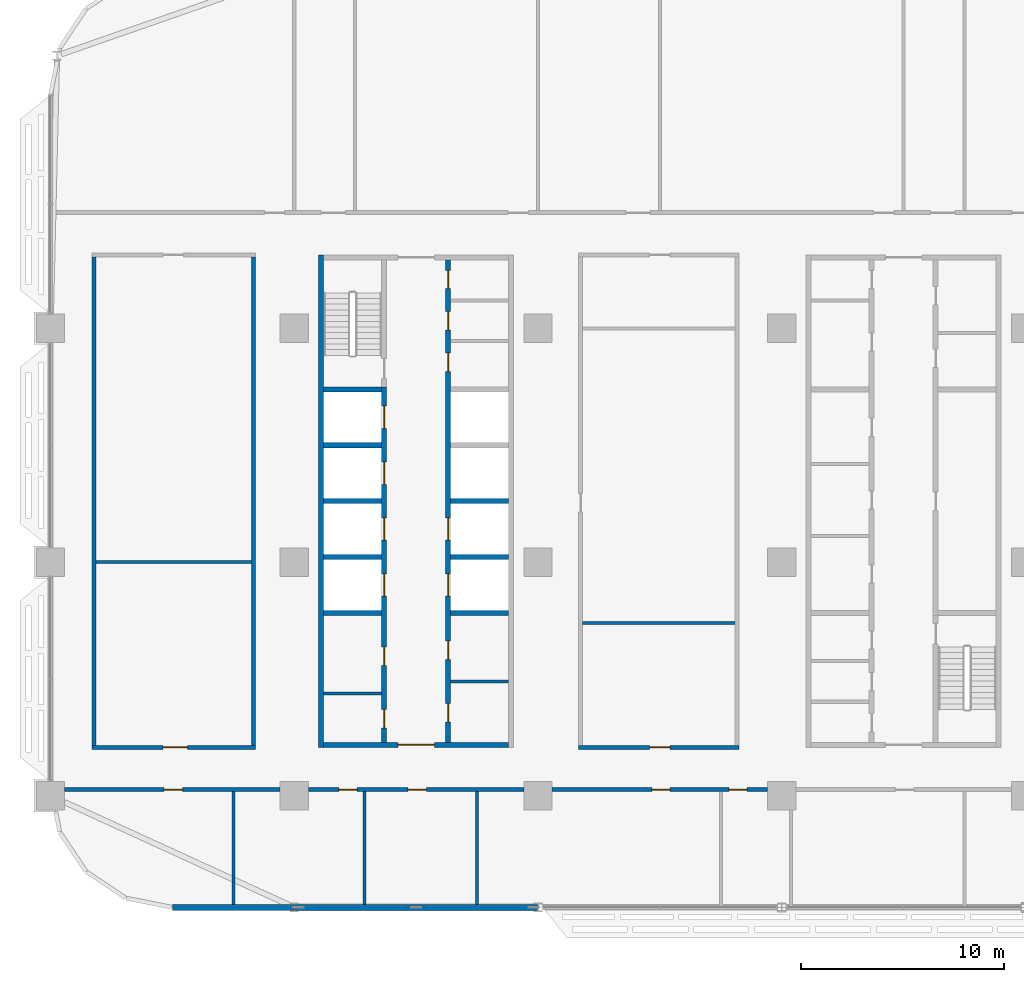
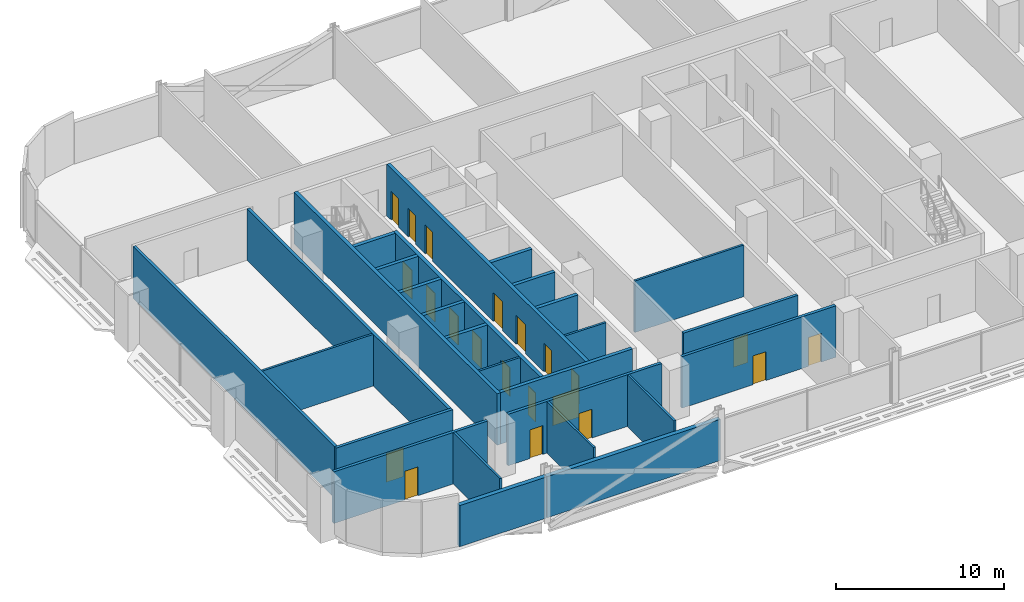
# One storey, part 12 of 29: 28 walls, 21 doors, 21 openings.
"""IFC4 building model written with IfcOpenShell, lengths in metres."""

from ifc_helpers import new_model, si_unit, direction, frame, frame_2d, origin, place, context, subcontext, project, spatial, rectangle, extrude, material, layer, layer_set, type_object, element, fill, save


model = new_model("IFC4")

# Units and contexts
model_context = context("Model", 3, precision=1e-05, world=origin(), true_north=direction((0.0, 1.0)))
body_context = subcontext(model_context, "Body", "Model", "MODEL_VIEW")
ifc_project = project(units=[si_unit("LENGTHUNIT", "METRE"), si_unit("AREAUNIT", "SQUARE_METRE"), si_unit("VOLUMEUNIT", "CUBIC_METRE"), si_unit("PLANEANGLEUNIT", "RADIAN"), si_unit("MASSUNIT", "GRAM", prefix="KILO")], contexts=[model_context])

# Site, building, storey
site_placement = place(None, origin())
site = spatial("IfcSite", under=ifc_project, at=site_placement, CompositionType="ELEMENT")
building_placement = place(site_placement, origin())
building = spatial("IfcBuilding", under=site, at=building_placement, Name="Mahtab Terrace Research Tower", CompositionType="ELEMENT")
storey_placement = place(building_placement, frame((0.0, 0.0, 97.10009765625)))
storey = spatial("IfcBuildingStorey", under=building, at=storey_placement, Name="L22", CompositionType="ELEMENT", Elevation=97.10009765625)

# Walls
ifc_material_1 = material(Name="Gypsum board partition")
ifc_layer_1 = layer(ifc_material_1, 0.14990234375)
ifc_layer_set_1 = layer_set([ifc_layer_1], Name="Core partition 150")
wall_type_1 = type_object("IfcWallType", Name="Core partition 150", PredefinedType="PARTITIONING", material=ifc_layer_set_1)
for number, where, z_axis, x_axis, name in (
    (1, (-28.550048828125, -6.47509765625, 0.0), (0.0, 0.0, 1.0), (1.0, 0.0, 0.0), "Core wall A pWS-948"),
    (2, (-22.300048828125, -5.875, 0.0), (0.0, 0.0, 1.0), (1.0, 0.0, 0.0), "Core wall A pES-888"),
):
    element("IfcWall", number, at=place(storey_placement, frame(where, z_axis=z_axis, x_axis=x_axis)), inside=storey, type_object=wall_type_1, Name=name, PredefinedType="PARTITIONING", context=body_context, shape_type="SweptSolid", body=[
        extrude(rectangle(XDim=2.85009765625, YDim=0.14990234375, at=frame_2d((1.425048828125, 0.0))), origin(), (0.0, 0.0, 1.0), 3.760009765625),
    ])
ifc_material_2 = material(Name="Concrete C70/85", Category="concrete")
ifc_layer_2 = layer(ifc_material_2, 0.25)
ifc_layer_set_2 = layer_set([ifc_layer_2], Name="Core wall 250")
wall_type_2 = type_object("IfcWallType", Name="Core wall 250", PredefinedType="SOLIDWALL", material=ifc_layer_set_2)
wall_1_placement = place(storey_placement, frame((-28.675048828125, 15.125, 0.0), z_axis=(0.0, 0.0, 1.0), x_axis=(0.0, -1.0, 0.0)))
element("IfcWall", 3, at=wall_1_placement, inside=storey, type_object=wall_type_2, Name="Core wall A outerW", PredefinedType="SOLIDWALL", context=body_context, shape_type="SweptSolid", body=[
    extrude(rectangle(XDim=24.25, YDim=0.25, at=frame_2d((12.125, 0.0))), origin(), (0.0, 0.0, 1.0), 3.760009765625),
])

# Wall, opening, door
wall_2_placement = place(storey_placement, frame((-19.449951171875, -9.0, 0.0), z_axis=(0.0, 0.0, 1.0), x_axis=(-1.0, 0.0, 0.0)))
wall_2 = element("IfcWall", 4, at=wall_2_placement, inside=storey, type_object=wall_type_2, Name="Core wall A endS", PredefinedType="SOLIDWALL", context=body_context, shape_type="SweptSolid", body=[
    extrude(rectangle(XDim=9.10009765625, YDim=0.25, at=frame_2d((4.550048828125, 0.0))), origin(), (0.0, 0.0, 1.0), 3.760009765625),
])
opening_1_placement = place(wall_2_placement, frame((3.64990234375, 0.0, 0.0)))
opening_1 = element("IfcOpeningElement", 5, at=opening_1_placement, cuts=wall_2, Name="Opening A-S1", PredefinedType="OPENING", context=body_context, shape_type="SweptSolid", body=[
    extrude(rectangle(XDim=1.800048828125, YDim=2.10009765625, at=frame_2d((0.89990234375, 1.050048828125))), frame((0.0, 0.135009765625, 0.0), z_axis=(0.0, -1.0, 0.0), x_axis=(1.0, 0.0, 0.0)), (0.0, 0.0, 1.0), 0.27001953125),
])
ifc_material_3 = material(Name="Steel fire door", Category="steel")
door_type_1 = type_object("IfcDoorType", Name="Lobby double door 1800x2100 1 HR", OperationType="DOUBLE_DOOR_SINGLE_SWING", PredefinedType="DOOR", material=ifc_material_3)
door_1_placement = place(opening_1_placement, origin())
door_1 = element("IfcDoor", 6, at=door_1_placement, inside=storey, type_object=door_type_1, Name="Core entrance door A S", OperationType="DOUBLE_DOOR_SINGLE_SWING", OverallHeight=2.10009765625, OverallWidth=1.800048828125, PredefinedType="DOOR", context=body_context, shape_type="SweptSolid", body=[
    extrude(rectangle(XDim=1.800048828125, YDim=2.10009765625, at=frame_2d((0.89990234375, 1.050048828125))), frame((0.0, 0.02490234375, 0.0), z_axis=(0.0, -1.0, 0.0), x_axis=(1.0, 0.0, 0.0)), (0.0, 0.0, 1.0), 0.050048828125),
])
fill(opening_1, door_1)

# Wall, openings, doors
wall_3_placement = place(storey_placement, frame((-25.574951171875, -8.875, 0.0), z_axis=(0.0, 0.0, 1.0), x_axis=(0.0, 1.0, 0.0)))
wall_3 = element("IfcWall", 7, at=wall_3_placement, inside=storey, type_object=wall_type_2, Name="Core wall A innerWSL", PredefinedType="SOLIDWALL", context=body_context, shape_type="SweptSolid", body=[
    extrude(rectangle(XDim=17.5, YDim=0.25, at=frame_2d((8.75, 0.0))), origin(), (0.0, 0.0, 1.0), 3.760009765625),
])
opening_2_placement = place(wall_3_placement, frame((7.199951171875, 0.0, 0.0)))
opening_2 = element("IfcOpeningElement", 8, at=opening_2_placement, cuts=wall_3, Name="Opening LD01-L22", PredefinedType="OPENING", context=body_context, shape_type="SweptSolid", body=[
    extrude(rectangle(XDim=1.10009765625, YDim=2.10009765625, at=frame_2d((0.550048828125, 1.050048828125))), frame((0.0, 0.135009765625, 0.0), z_axis=(0.0, -1.0, 0.0), x_axis=(1.0, 0.0, 0.0)), (0.0, 0.0, 1.0), 0.27001953125),
])
opening_3_placement = place(wall_3_placement, frame((9.949951171875, 0.0, 0.0)))
opening_3 = element("IfcOpeningElement", 9, at=opening_3_placement, cuts=wall_3, Name="Opening LD02-L22", PredefinedType="OPENING", context=body_context, shape_type="SweptSolid", body=[
    extrude(rectangle(XDim=1.10009765625, YDim=2.10009765625, at=frame_2d((0.550048828125, 1.050048828125))), frame((0.0, 0.135009765625, 0.0), z_axis=(0.0, -1.0, 0.0), x_axis=(1.0, 0.0, 0.0)), (0.0, 0.0, 1.0), 0.27001953125),
])
opening_4_placement = place(wall_3_placement, frame((12.699951171875, 0.0, 0.0)))
opening_4 = element("IfcOpeningElement", 10, at=opening_4_placement, cuts=wall_3, Name="Opening LD03-L22", PredefinedType="OPENING", context=body_context, shape_type="SweptSolid", body=[
    extrude(rectangle(XDim=1.10009765625, YDim=2.10009765625, at=frame_2d((0.550048828125, 1.050048828125))), frame((0.0, 0.135009765625, 0.0), z_axis=(0.0, -1.0, 0.0), x_axis=(1.0, 0.0, 0.0)), (0.0, 0.0, 1.0), 0.27001953125),
])
opening_5_placement = place(wall_3_placement, frame((15.449951171875, 0.0, 0.0)))
opening_5 = element("IfcOpeningElement", 11, at=opening_5_placement, cuts=wall_3, Name="Opening LD04-L22", PredefinedType="OPENING", context=body_context, shape_type="SweptSolid", body=[
    extrude(rectangle(XDim=1.10009765625, YDim=2.10009765625, at=frame_2d((0.550048828125, 1.050048828125))), frame((0.0, 0.135009765625, 0.0), z_axis=(0.0, -1.0, 0.0), x_axis=(1.0, 0.0, 0.0)), (0.0, 0.0, 1.0), 0.27001953125),
])
opening_6_placement = place(wall_3_placement, frame((0.71240234375, 0.0, 0.0)))
opening_6 = element("IfcOpeningElement", 12, at=opening_6_placement, cuts=wall_3, Name="Opening A-R1", PredefinedType="OPENING", context=body_context, shape_type="SweptSolid", body=[
    extrude(rectangle(XDim=0.89990234375, YDim=2.10009765625, at=frame_2d((0.449951171875, 1.050048828125))), frame((0.0, 0.135009765625, 0.0), z_axis=(0.0, -1.0, 0.0), x_axis=(1.0, 0.0, 0.0)), (0.0, 0.0, 1.0), 0.27001953125),
])
opening_7_placement = place(wall_3_placement, frame((3.78759765625, 0.0, 0.0)))
opening_7 = element("IfcOpeningElement", 13, at=opening_7_placement, cuts=wall_3, Name="Opening A-R2", PredefinedType="OPENING", context=body_context, shape_type="SweptSolid", body=[
    extrude(rectangle(XDim=0.89990234375, YDim=2.10009765625, at=frame_2d((0.449951171875, 1.050048828125))), frame((0.0, 0.135009765625, 0.0), z_axis=(0.0, -1.0, 0.0), x_axis=(1.0, 0.0, 0.0)), (0.0, 0.0, 1.0), 0.27001953125),
])
ifc_material_4 = material(Name="Stainless steel AISI 304", Category="steel")
door_type_2 = type_object("IfcDoorType", Name="Landing door 1100x2100", OperationType="DOUBLE_DOOR_SLIDING", PredefinedType="DOOR", material=ifc_material_4)
door_2_placement = place(opening_2_placement, origin())
door_2 = element("IfcDoor", 14, at=door_2_placement, inside=storey, type_object=door_type_2, Name="Landing door LR1 L22", OperationType="DOUBLE_DOOR_SLIDING", OverallHeight=2.10009765625, OverallWidth=1.10009765625, PredefinedType="DOOR", context=body_context, shape_type="SweptSolid", body=[
    extrude(rectangle(XDim=1.10009765625, YDim=2.10009765625, at=frame_2d((0.550048828125, 1.050048828125))), frame((0.0, 0.02490234375, 0.0), z_axis=(0.0, -1.0, 0.0), x_axis=(1.0, 0.0, 0.0)), (0.0, 0.0, 1.0), 0.050048828125),
])
fill(opening_2, door_2)
door_3_placement = place(opening_3_placement, origin())
door_3 = element("IfcDoor", 15, at=door_3_placement, inside=storey, type_object=door_type_2, Name="Landing door LR2 L22", OperationType="DOUBLE_DOOR_SLIDING", OverallHeight=2.10009765625, OverallWidth=1.10009765625, PredefinedType="DOOR", context=body_context, shape_type="SweptSolid", body=[
    extrude(rectangle(XDim=1.10009765625, YDim=2.10009765625, at=frame_2d((0.550048828125, 1.050048828125))), frame((0.0, 0.02490234375, 0.0), z_axis=(0.0, -1.0, 0.0), x_axis=(1.0, 0.0, 0.0)), (0.0, 0.0, 1.0), 0.050048828125),
])
fill(opening_3, door_3)
door_4_placement = place(opening_4_placement, origin())
door_4 = element("IfcDoor", 16, at=door_4_placement, inside=storey, type_object=door_type_2, Name="Landing door LR3 L22", OperationType="DOUBLE_DOOR_SLIDING", OverallHeight=2.10009765625, OverallWidth=1.10009765625, PredefinedType="DOOR", context=body_context, shape_type="SweptSolid", body=[
    extrude(rectangle(XDim=1.10009765625, YDim=2.10009765625, at=frame_2d((0.550048828125, 1.050048828125))), frame((0.0, 0.02490234375, 0.0), z_axis=(0.0, -1.0, 0.0), x_axis=(1.0, 0.0, 0.0)), (0.0, 0.0, 1.0), 0.050048828125),
])
fill(opening_4, door_4)
door_5_placement = place(opening_5_placement, origin())
door_5 = element("IfcDoor", 17, at=door_5_placement, inside=storey, type_object=door_type_2, Name="Landing door LR4 L22", OperationType="DOUBLE_DOOR_SLIDING", OverallHeight=2.10009765625, OverallWidth=1.10009765625, PredefinedType="DOOR", context=body_context, shape_type="SweptSolid", body=[
    extrude(rectangle(XDim=1.10009765625, YDim=2.10009765625, at=frame_2d((0.550048828125, 1.050048828125))), frame((0.0, 0.02490234375, 0.0), z_axis=(0.0, -1.0, 0.0), x_axis=(1.0, 0.0, 0.0)), (0.0, 0.0, 1.0), 0.050048828125),
])
fill(opening_5, door_5)
door_type_3 = type_object("IfcDoorType", Name="Room door 900x2100 1 HR", OperationType="NOTDEFINED", PredefinedType="DOOR", material=ifc_material_3)
door_6_placement = place(opening_6_placement, origin())
door_6 = element("IfcDoor", 18, at=door_6_placement, inside=storey, type_object=door_type_3, Name="Accessible WC door", OperationType="SINGLE_SWING_LEFT", OverallHeight=2.10009765625, OverallWidth=0.89990234375, PredefinedType="DOOR", context=body_context, shape_type="SweptSolid", body=[
    extrude(rectangle(XDim=0.89990234375, YDim=2.10009765625, at=frame_2d((0.449951171875, 1.050048828125))), frame((0.0, 0.02490234375, 0.0), z_axis=(0.0, -1.0, 0.0), x_axis=(1.0, 0.0, 0.0)), (0.0, 0.0, 1.0), 0.050048828125),
])
fill(opening_6, door_6)
door_7_placement = place(opening_7_placement, origin())
door_7 = element("IfcDoor", 19, at=door_7_placement, inside=storey, type_object=door_type_3, Name="WC block door", OperationType="SINGLE_SWING_RIGHT", OverallHeight=2.10009765625, OverallWidth=0.89990234375, PredefinedType="DOOR", context=body_context, shape_type="SweptSolid", body=[
    extrude(rectangle(XDim=0.89990234375, YDim=2.10009765625, at=frame_2d((0.449951171875, 1.050048828125))), frame((0.0, 0.02490234375, 0.0), z_axis=(0.0, -1.0, 0.0), x_axis=(1.0, 0.0, 0.0)), (0.0, 0.0, 1.0), 0.050048828125),
])
fill(opening_7, door_7)

wall_4_placement = place(storey_placement, frame((-22.425048828125, 14.875, 0.0), z_axis=(0.0, 0.0, 1.0), x_axis=(0.0, -1.0, 0.0)))
wall_4 = element("IfcWall", 20, at=wall_4_placement, inside=storey, type_object=wall_type_2, Name="Core wall A innerESLN", PredefinedType="SOLIDWALL", context=body_context, shape_type="SweptSolid", body=[
    extrude(rectangle(XDim=23.75, YDim=0.25, at=frame_2d((11.875, 0.0))), origin(), (0.0, 0.0, 1.0), 3.760009765625),
])
opening_8_placement = place(wall_4_placement, frame((15.449951171875, 0.0, 0.0)))
opening_8 = element("IfcOpeningElement", 21, at=opening_8_placement, cuts=wall_4, Name="Opening LD05-L22", PredefinedType="OPENING", context=body_context, shape_type="SweptSolid", body=[
    extrude(rectangle(XDim=1.10009765625, YDim=2.10009765625, at=frame_2d((0.550048828125, 1.050048828125))), frame((0.0, 0.135009765625, 0.0), z_axis=(0.0, -1.0, 0.0), x_axis=(1.0, 0.0, 0.0)), (0.0, 0.0, 1.0), 0.27001953125),
])
opening_9_placement = place(wall_4_placement, frame((12.699951171875, 0.0, 0.0)))
opening_9 = element("IfcOpeningElement", 22, at=opening_9_placement, cuts=wall_4, Name="Opening LD06-L22", PredefinedType="OPENING", context=body_context, shape_type="SweptSolid", body=[
    extrude(rectangle(XDim=1.10009765625, YDim=2.10009765625, at=frame_2d((0.550048828125, 1.050048828125))), frame((0.0, 0.135009765625, 0.0), z_axis=(0.0, -1.0, 0.0), x_axis=(1.0, 0.0, 0.0)), (0.0, 0.0, 1.0), 0.27001953125),
])
opening_10_placement = place(wall_4_placement, frame((21.83740234375, 0.0, 0.0)))
opening_10 = element("IfcOpeningElement", 23, at=opening_10_placement, cuts=wall_4, Name="Opening A-R3", PredefinedType="OPENING", context=body_context, shape_type="SweptSolid", body=[
    extrude(rectangle(XDim=0.89990234375, YDim=2.10009765625, at=frame_2d((0.449951171875, 1.050048828125))), frame((0.0, 0.135009765625, 0.0), z_axis=(0.0, -1.0, 0.0), x_axis=(1.0, 0.0, 0.0)), (0.0, 0.0, 1.0), 0.27001953125),
])
opening_11_placement = place(wall_4_placement, frame((18.762451171875, 0.0, 0.0)))
opening_11 = element("IfcOpeningElement", 24, at=opening_11_placement, cuts=wall_4, Name="Opening A-R4", PredefinedType="OPENING", context=body_context, shape_type="SweptSolid", body=[
    extrude(rectangle(XDim=0.89990234375, YDim=2.10009765625, at=frame_2d((0.449951171875, 1.050048828125))), frame((0.0, 0.135009765625, 0.0), z_axis=(0.0, -1.0, 0.0), x_axis=(1.0, 0.0, 0.0)), (0.0, 0.0, 1.0), 0.27001953125),
])
opening_12_placement = place(wall_4_placement, frame((4.58740234375, 0.0, 0.0)))
opening_12 = element("IfcOpeningElement", 25, at=opening_12_placement, cuts=wall_4, Name="Opening A-R5", PredefinedType="OPENING", context=body_context, shape_type="SweptSolid", body=[
    extrude(rectangle(XDim=0.89990234375, YDim=2.10009765625, at=frame_2d((0.449951171875, 1.050048828125))), frame((0.0, 0.135009765625, 0.0), z_axis=(0.0, -1.0, 0.0), x_axis=(1.0, 0.0, 0.0)), (0.0, 0.0, 1.0), 0.27001953125),
])
opening_13_placement = place(wall_4_placement, frame((2.550048828125, 0.0, 0.0)))
opening_13 = element("IfcOpeningElement", 26, at=opening_13_placement, cuts=wall_4, Name="Opening A-R6", PredefinedType="OPENING", context=body_context, shape_type="SweptSolid", body=[
    extrude(rectangle(XDim=0.89990234375, YDim=2.10009765625, at=frame_2d((0.449951171875, 1.050048828125))), frame((0.0, 0.135009765625, 0.0), z_axis=(0.0, -1.0, 0.0), x_axis=(1.0, 0.0, 0.0)), (0.0, 0.0, 1.0), 0.27001953125),
])
opening_14_placement = place(wall_4_placement, frame((0.512451171875, 0.0, 0.0)))
opening_14 = element("IfcOpeningElement", 27, at=opening_14_placement, cuts=wall_4, Name="Opening A-R7", PredefinedType="OPENING", context=body_context, shape_type="SweptSolid", body=[
    extrude(rectangle(XDim=0.89990234375, YDim=2.10009765625, at=frame_2d((0.449951171875, 1.050048828125))), frame((0.0, 0.135009765625, 0.0), z_axis=(0.0, -1.0, 0.0), x_axis=(1.0, 0.0, 0.0)), (0.0, 0.0, 1.0), 0.27001953125),
])
door_8_placement = place(opening_8_placement, origin())
door_8 = element("IfcDoor", 28, at=door_8_placement, inside=storey, type_object=door_type_2, Name="Landing door LR5 L22", OperationType="DOUBLE_DOOR_SLIDING", OverallHeight=2.10009765625, OverallWidth=1.10009765625, PredefinedType="DOOR", context=body_context, shape_type="SweptSolid", body=[
    extrude(rectangle(XDim=1.10009765625, YDim=2.10009765625, at=frame_2d((0.550048828125, 1.050048828125))), frame((0.0, 0.02490234375, 0.0), z_axis=(0.0, -1.0, 0.0), x_axis=(1.0, 0.0, 0.0)), (0.0, 0.0, 1.0), 0.050048828125),
])
fill(opening_8, door_8)
door_9_placement = place(opening_9_placement, origin())
door_9 = element("IfcDoor", 29, at=door_9_placement, inside=storey, type_object=door_type_2, Name="Landing door LR6 L22", OperationType="DOUBLE_DOOR_SLIDING", OverallHeight=2.10009765625, OverallWidth=1.10009765625, PredefinedType="DOOR", context=body_context, shape_type="SweptSolid", body=[
    extrude(rectangle(XDim=1.10009765625, YDim=2.10009765625, at=frame_2d((0.550048828125, 1.050048828125))), frame((0.0, 0.02490234375, 0.0), z_axis=(0.0, -1.0, 0.0), x_axis=(1.0, 0.0, 0.0)), (0.0, 0.0, 1.0), 0.050048828125),
])
fill(opening_9, door_9)
door_10_placement = place(opening_10_placement, origin())
door_10 = element("IfcDoor", 30, at=door_10_placement, inside=storey, type_object=door_type_3, Name="Housekeeping store door", OperationType="SINGLE_SWING_LEFT", OverallHeight=2.10009765625, OverallWidth=0.89990234375, PredefinedType="DOOR", context=body_context, shape_type="SweptSolid", body=[
    extrude(rectangle(XDim=0.89990234375, YDim=2.10009765625, at=frame_2d((0.449951171875, 1.050048828125))), frame((0.0, 0.02490234375, 0.0), z_axis=(0.0, -1.0, 0.0), x_axis=(1.0, 0.0, 0.0)), (0.0, 0.0, 1.0), 0.050048828125),
])
fill(opening_10, door_10)
door_11_placement = place(opening_11_placement, origin())
door_11 = element("IfcDoor", 31, at=door_11_placement, inside=storey, type_object=door_type_3, Name="Electrical riser room door", OperationType="SINGLE_SWING_RIGHT", OverallHeight=2.10009765625, OverallWidth=0.89990234375, PredefinedType="DOOR", context=body_context, shape_type="SweptSolid", body=[
    extrude(rectangle(XDim=0.89990234375, YDim=2.10009765625, at=frame_2d((0.449951171875, 1.050048828125))), frame((0.0, 0.02490234375, 0.0), z_axis=(0.0, -1.0, 0.0), x_axis=(1.0, 0.0, 0.0)), (0.0, 0.0, 1.0), 0.050048828125),
])
fill(opening_11, door_11)
door_12_placement = place(opening_12_placement, origin())
door_12 = element("IfcDoor", 32, at=door_12_placement, inside=storey, type_object=door_type_3, Name="Comms riser room door", OperationType="SINGLE_SWING_LEFT", OverallHeight=2.10009765625, OverallWidth=0.89990234375, PredefinedType="DOOR", context=body_context, shape_type="SweptSolid", body=[
    extrude(rectangle(XDim=0.89990234375, YDim=2.10009765625, at=frame_2d((0.449951171875, 1.050048828125))), frame((0.0, 0.02490234375, 0.0), z_axis=(0.0, -1.0, 0.0), x_axis=(1.0, 0.0, 0.0)), (0.0, 0.0, 1.0), 0.050048828125),
])
fill(opening_12, door_12)
door_13_placement = place(opening_13_placement, origin())
door_13 = element("IfcDoor", 33, at=door_13_placement, inside=storey, type_object=door_type_3, Name="Pantry door", OperationType="SINGLE_SWING_RIGHT", OverallHeight=2.10009765625, OverallWidth=0.89990234375, PredefinedType="DOOR", context=body_context, shape_type="SweptSolid", body=[
    extrude(rectangle(XDim=0.89990234375, YDim=2.10009765625, at=frame_2d((0.449951171875, 1.050048828125))), frame((0.0, 0.02490234375, 0.0), z_axis=(0.0, -1.0, 0.0), x_axis=(1.0, 0.0, 0.0)), (0.0, 0.0, 1.0), 0.050048828125),
])
fill(opening_13, door_13)
door_14_placement = place(opening_14_placement, origin())
door_14 = element("IfcDoor", 34, at=door_14_placement, inside=storey, type_object=door_type_3, Name="Cleaners store door", OperationType="SINGLE_SWING_LEFT", OverallHeight=2.10009765625, OverallWidth=0.89990234375, PredefinedType="DOOR", context=body_context, shape_type="SweptSolid", body=[
    extrude(rectangle(XDim=0.89990234375, YDim=2.10009765625, at=frame_2d((0.449951171875, 1.050048828125))), frame((0.0, 0.02490234375, 0.0), z_axis=(0.0, -1.0, 0.0), x_axis=(1.0, 0.0, 0.0)), (0.0, 0.0, 1.0), 0.050048828125),
])
fill(opening_14, door_14)

# Walls
for number, where, z_axis, x_axis, name in (
    (35, (-28.550048828125, -2.5, 0.0), (0.0, 0.0, 1.0), (1.0, 0.0, 0.0), "Core wall A divW0"),
    (36, (-28.550048828125, 0.25, 0.0), (0.0, 0.0, 1.0), (1.0, 0.0, 0.0), "Core wall A divW1"),
    (37, (-28.550048828125, 3.0, 0.0), (0.0, 0.0, 1.0), (1.0, 0.0, 0.0), "Core wall A divW2"),
    (38, (-28.550048828125, 5.75, 0.0), (0.0, 0.0, 1.0), (1.0, 0.0, 0.0), "Core wall A divW3"),
    (39, (-28.550048828125, 8.5, 0.0), (0.0, 0.0, 1.0), (1.0, 0.0, 0.0), "Core wall A divW4"),
    (40, (-22.300048828125, -2.5, 0.0), (0.0, 0.0, 1.0), (1.0, 0.0, 0.0), "Core wall A divE0"),
    (41, (-22.300048828125, 0.25, 0.0), (0.0, 0.0, 1.0), (1.0, 0.0, 0.0), "Core wall A divE1"),
    (42, (-22.300048828125, 3.0, 0.0), (0.0, 0.0, 1.0), (1.0, 0.0, 0.0), "Core wall A divE2"),
):
    element("IfcWall", number, at=place(storey_placement, frame(where, z_axis=z_axis, x_axis=x_axis)), inside=storey, type_object=wall_type_2, Name=name, PredefinedType="SOLIDWALL", context=body_context, shape_type="SweptSolid", body=[
        extrude(rectangle(XDim=2.85009765625, YDim=0.25, at=frame_2d((1.425048828125, 0.0))), origin(), (0.0, 0.0, 1.0), 3.760009765625),
    ])
ifc_material_5 = material(Name="Black aluminium cladding panel", Category="aluminium")
ifc_layer_3 = layer(ifc_material_5, 0.300048828125)
ifc_layer_set_3 = layer_set([ifc_layer_3], Name="Opaque facade wall 300")
wall_type_3 = type_object("IfcWallType", Name="Opaque facade wall 300", PredefinedType="NOTDEFINED", material=ifc_layer_set_3)
wall_5_placement = place(storey_placement, frame((-36.0, -17.0, 0.0), z_axis=(0.0, 0.0, 1.0), x_axis=(1.0, 0.0, 0.0)))
element("IfcWall", 43, at=wall_5_placement, inside=storey, type_object=wall_type_3, Name="Opaque facade wall L22 S23", PredefinedType="NOTDEFINED", context=body_context, shape_type="SweptSolid", body=[
    extrude(rectangle(XDim=5.97900390625, YDim=0.300048828125, at=frame_2d((2.989501953125, 0.0))), origin(), (0.0, 0.0, 1.0), 3.0029296875),
])
wall_6_placement = place(storey_placement, frame((-29.97900390625, -17.0, 0.0), z_axis=(0.0, 0.0, 1.0), x_axis=(1.0, 0.0, 0.0)))
element("IfcWall", 44, at=wall_6_placement, inside=storey, type_object=wall_type_3, Name="Opaque facade wall L22 S24", PredefinedType="NOTDEFINED", context=body_context, shape_type="SweptSolid", body=[
    extrude(rectangle(XDim=11.9580078125, YDim=0.300048828125, at=frame_2d((5.97900390625, 0.0))), origin(), (0.0, 0.0, 1.0), 3.0029296875),
])

# Wall, opening, door
ifc_material_6 = material(Name="Gypsum board corridor wall on steel studs", Category="steel")
ifc_layer_4 = layer(ifc_material_6, 0.199951171875)
ifc_layer_set_4 = layer_set([ifc_layer_4], Name="WALL CORRIDOR 200")
wall_type_4 = type_object("IfcWallType", Name="WALL CORRIDOR 200", PredefinedType="PARTITIONING", material=ifc_layer_set_4)
wall_7_placement = place(storey_placement, frame((-41.300048828125, -11.199951171875, 0.0), z_axis=(0.0, 0.0, 1.0), x_axis=(1.0, 0.0, 0.0)))
wall_7 = element("IfcWall", 45, at=wall_7_placement, inside=storey, type_object=wall_type_4, Name="L22-W001", PredefinedType="PARTITIONING", context=body_context, shape_type="SweptSolid", body=[
    extrude(rectangle(XDim=10.60009765625, YDim=0.199951171875, at=frame_2d((5.300048828125, 0.0))), origin(), (0.0, 0.0, 1.0), 3.760009765625),
])
opening_15_placement = place(wall_7_placement, frame((4.89990234375, 0.0, 0.0)))
opening_15 = element("IfcOpeningElement", 46, at=opening_15_placement, cuts=wall_7, Name="Opening L22-101", PredefinedType="OPENING", context=body_context, shape_type="SweptSolid", body=[
    extrude(rectangle(XDim=0.89990234375, YDim=2.10009765625, at=frame_2d((0.449951171875, 1.050048828125))), frame((0.0, 0.10986328125, 0.0), z_axis=(0.0, -1.0, 0.0), x_axis=(1.0, 0.0, 0.0)), (0.0, 0.0, 1.0), 0.219970703125),
])
ifc_material_7 = material(Name="Timber door leaf in steel frame", Category="steel")
door_type_4 = type_object("IfcDoorType", Name="DOOR 0900X2100 FD30S", OperationType="SINGLE_SWING_LEFT", PredefinedType="DOOR", material=ifc_material_7)
door_15_placement = place(opening_15_placement, origin())
door_15 = element("IfcDoor", 47, at=door_15_placement, inside=storey, type_object=door_type_4, Name="Door L22-101", OperationType="SINGLE_SWING_LEFT", OverallHeight=2.10009765625, OverallWidth=0.89990234375, PredefinedType="DOOR", context=body_context, shape_type="SweptSolid", body=[
    extrude(rectangle(XDim=0.89990234375, YDim=2.10009765625, at=frame_2d((0.449951171875, 1.050048828125))), frame((0.0, 0.02490234375, 0.0), z_axis=(0.0, -1.0, 0.0), x_axis=(1.0, 0.0, 0.0)), (0.0, 0.0, 1.0), 0.050048828125),
])
fill(opening_15, door_15)

# Wall, openings, doors
wall_8_placement = place(storey_placement, frame((-29.300048828125, -11.199951171875, 0.0), z_axis=(0.0, 0.0, 1.0), x_axis=(1.0, 0.0, 0.0)))
wall_8 = element("IfcWall", 48, at=wall_8_placement, inside=storey, type_object=wall_type_4, Name="L22-W002", PredefinedType="PARTITIONING", context=body_context, shape_type="SweptSolid", body=[
    extrude(rectangle(XDim=10.60009765625, YDim=0.199951171875, at=frame_2d((5.300048828125, 0.0))), origin(), (0.0, 0.0, 1.0), 3.760009765625),
])
opening_16_placement = place(wall_8_placement, frame((1.5, 0.0, 0.0)))
opening_16 = element("IfcOpeningElement", 49, at=opening_16_placement, cuts=wall_8, Name="Opening L22-102", PredefinedType="OPENING", context=body_context, shape_type="SweptSolid", body=[
    extrude(rectangle(XDim=0.89990234375, YDim=2.10009765625, at=frame_2d((0.449951171875, 1.050048828125))), frame((0.0, 0.10986328125, 0.0), z_axis=(0.0, -1.0, 0.0), x_axis=(1.0, 0.0, 0.0)), (0.0, 0.0, 1.0), 0.219970703125),
])
opening_17_placement = place(wall_8_placement, frame((4.89990234375, 0.0, 0.0)))
opening_17 = element("IfcOpeningElement", 50, at=opening_17_placement, cuts=wall_8, Name="Opening L22-103", PredefinedType="OPENING", context=body_context, shape_type="SweptSolid", body=[
    extrude(rectangle(XDim=0.89990234375, YDim=2.10009765625, at=frame_2d((0.449951171875, 1.050048828125))), frame((0.0, 0.10986328125, 0.0), z_axis=(0.0, -1.0, 0.0), x_axis=(1.0, 0.0, 0.0)), (0.0, 0.0, 1.0), 0.219970703125),
])
door_16_placement = place(opening_16_placement, origin())
door_16 = element("IfcDoor", 51, at=door_16_placement, inside=storey, type_object=door_type_4, Name="Door L22-102", OperationType="SINGLE_SWING_RIGHT", OverallHeight=2.10009765625, OverallWidth=0.89990234375, PredefinedType="DOOR", context=body_context, shape_type="SweptSolid", body=[
    extrude(rectangle(XDim=0.89990234375, YDim=2.10009765625, at=frame_2d((0.449951171875, 1.050048828125))), frame((0.0, 0.02490234375, 0.0), z_axis=(0.0, -1.0, 0.0), x_axis=(1.0, 0.0, 0.0)), (0.0, 0.0, 1.0), 0.050048828125),
])
fill(opening_16, door_16)
door_17_placement = place(opening_17_placement, origin())
door_17 = element("IfcDoor", 52, at=door_17_placement, inside=storey, type_object=door_type_4, Name="Door L22-103", OperationType="SINGLE_SWING_LEFT", OverallHeight=2.10009765625, OverallWidth=0.89990234375, PredefinedType="DOOR", context=body_context, shape_type="SweptSolid", body=[
    extrude(rectangle(XDim=0.89990234375, YDim=2.10009765625, at=frame_2d((0.449951171875, 1.050048828125))), frame((0.0, 0.02490234375, 0.0), z_axis=(0.0, -1.0, 0.0), x_axis=(1.0, 0.0, 0.0)), (0.0, 0.0, 1.0), 0.050048828125),
])
fill(opening_17, door_17)

wall_9_placement = place(storey_placement, frame((-17.300048828125, -11.199951171875, 0.0), z_axis=(0.0, 0.0, 1.0), x_axis=(1.0, 0.0, 0.0)))
wall_9 = element("IfcWall", 53, at=wall_9_placement, inside=storey, type_object=wall_type_4, Name="L22-W003", PredefinedType="PARTITIONING", context=body_context, shape_type="SweptSolid", body=[
    extrude(rectangle(XDim=10.60009765625, YDim=0.199951171875, at=frame_2d((5.300048828125, 0.0))), origin(), (0.0, 0.0, 1.0), 3.760009765625),
])
opening_18_placement = place(wall_9_placement, frame((4.89990234375, 0.0, 0.0)))
opening_18 = element("IfcOpeningElement", 54, at=opening_18_placement, cuts=wall_9, Name="Opening L22-104", PredefinedType="OPENING", context=body_context, shape_type="SweptSolid", body=[
    extrude(rectangle(XDim=0.89990234375, YDim=2.10009765625, at=frame_2d((0.449951171875, 1.050048828125))), frame((0.0, 0.10986328125, 0.0), z_axis=(0.0, -1.0, 0.0), x_axis=(1.0, 0.0, 0.0)), (0.0, 0.0, 1.0), 0.219970703125),
])
opening_19_placement = place(wall_9_placement, frame((8.699951171875, 0.0, 0.0)))
opening_19 = element("IfcOpeningElement", 55, at=opening_19_placement, cuts=wall_9, Name="Opening L22-105", PredefinedType="OPENING", context=body_context, shape_type="SweptSolid", body=[
    extrude(rectangle(XDim=0.89990234375, YDim=2.10009765625, at=frame_2d((0.449951171875, 1.050048828125))), frame((0.0, 0.10986328125, 0.0), z_axis=(0.0, -1.0, 0.0), x_axis=(1.0, 0.0, 0.0)), (0.0, 0.0, 1.0), 0.219970703125),
])
door_18_placement = place(opening_18_placement, origin())
door_18 = element("IfcDoor", 56, at=door_18_placement, inside=storey, type_object=door_type_4, Name="Door L22-104", OperationType="SINGLE_SWING_LEFT", OverallHeight=2.10009765625, OverallWidth=0.89990234375, PredefinedType="DOOR", context=body_context, shape_type="SweptSolid", body=[
    extrude(rectangle(XDim=0.89990234375, YDim=2.10009765625, at=frame_2d((0.449951171875, 1.050048828125))), frame((0.0, 0.02490234375, 0.0), z_axis=(0.0, -1.0, 0.0), x_axis=(1.0, 0.0, 0.0)), (0.0, 0.0, 1.0), 0.050048828125),
])
fill(opening_18, door_18)
door_19_placement = place(opening_19_placement, origin())
door_19 = element("IfcDoor", 57, at=door_19_placement, inside=storey, type_object=door_type_4, Name="Door L22-105", OperationType="SINGLE_SWING_LEFT", OverallHeight=2.10009765625, OverallWidth=0.89990234375, PredefinedType="DOOR", context=body_context, shape_type="SweptSolid", body=[
    extrude(rectangle(XDim=0.89990234375, YDim=2.10009765625, at=frame_2d((0.449951171875, 1.050048828125))), frame((0.0, 0.02490234375, 0.0), z_axis=(0.0, -1.0, 0.0), x_axis=(1.0, 0.0, 0.0)), (0.0, 0.0, 1.0), 0.050048828125),
])
fill(opening_19, door_19)

# Wall, opening, door
wall_10_placement = place(storey_placement, frame((-39.949951171875, -9.125, 0.0), z_axis=(0.0, 0.0, 1.0), x_axis=(1.0, 0.0, 0.0)))
wall_10 = element("IfcWall", 58, at=wall_10_placement, inside=storey, type_object=wall_type_4, Name="L22-W009", PredefinedType="PARTITIONING", context=body_context, shape_type="SweptSolid", body=[
    extrude(rectangle(XDim=8.050048828125, YDim=0.199951171875, at=frame_2d((4.02490234375, 0.0))), origin(), (0.0, 0.0, 1.0), 3.760009765625),
])
opening_20_placement = place(wall_10_placement, frame((3.5, 0.0, 0.0)))
opening_20 = element("IfcOpeningElement", 59, at=opening_20_placement, cuts=wall_10, Name="Opening L22-117", PredefinedType="OPENING", context=body_context, shape_type="SweptSolid", body=[
    extrude(rectangle(XDim=1.199951171875, YDim=2.10009765625, at=frame_2d((0.60009765625, 1.050048828125))), frame((0.0, 0.10986328125, 0.0), z_axis=(0.0, -1.0, 0.0), x_axis=(1.0, 0.0, 0.0)), (0.0, 0.0, 1.0), 0.219970703125),
])
door_type_5 = type_object("IfcDoorType", Name="DOOR 1200X2100 FD30S", OperationType="SINGLE_SWING_LEFT", PredefinedType="DOOR", material=ifc_material_7)
door_20_placement = place(opening_20_placement, origin())
door_20 = element("IfcDoor", 60, at=door_20_placement, inside=storey, type_object=door_type_5, Name="Door L22-117", OperationType="SINGLE_SWING_RIGHT", OverallHeight=2.10009765625, OverallWidth=1.199951171875, PredefinedType="DOOR", context=body_context, shape_type="SweptSolid", body=[
    extrude(rectangle(XDim=1.199951171875, YDim=2.10009765625, at=frame_2d((0.60009765625, 1.050048828125))), frame((0.0, 0.02490234375, 0.0), z_axis=(0.0, -1.0, 0.0), x_axis=(1.0, 0.0, 0.0)), (0.0, 0.0, 1.0), 0.050048828125),
])
fill(opening_20, door_20)

wall_11_placement = place(storey_placement, frame((-16.0, -9.125, 0.0), z_axis=(0.0, 0.0, 1.0), x_axis=(1.0, 0.0, 0.0)))
wall_11 = element("IfcWall", 61, at=wall_11_placement, inside=storey, type_object=wall_type_4, Name="L22-W010", PredefinedType="PARTITIONING", context=body_context, shape_type="SweptSolid", body=[
    extrude(rectangle(XDim=7.89990234375, YDim=0.199951171875, at=frame_2d((3.949951171875, 0.0))), origin(), (0.0, 0.0, 1.0), 3.760009765625),
])
opening_21_placement = place(wall_11_placement, frame((3.5, 0.0, 0.0)))
opening_21 = element("IfcOpeningElement", 62, at=opening_21_placement, cuts=wall_11, Name="Opening L22-114", PredefinedType="OPENING", context=body_context, shape_type="SweptSolid", body=[
    extrude(rectangle(XDim=1.0, YDim=2.10009765625, at=frame_2d((0.5, 1.050048828125))), frame((0.0, 0.10986328125, 0.0), z_axis=(0.0, -1.0, 0.0), x_axis=(1.0, 0.0, 0.0)), (0.0, 0.0, 1.0), 0.219970703125),
])
door_type_6 = type_object("IfcDoorType", Name="DOOR 1000X2100 FD30S", OperationType="SINGLE_SWING_LEFT", PredefinedType="DOOR", material=ifc_material_7)
door_21_placement = place(opening_21_placement, origin())
door_21 = element("IfcDoor", 63, at=door_21_placement, inside=storey, type_object=door_type_6, Name="Door L22-114", OperationType="SINGLE_SWING_RIGHT", OverallHeight=2.10009765625, OverallWidth=1.0, PredefinedType="DOOR", context=body_context, shape_type="SweptSolid", body=[
    extrude(rectangle(XDim=1.0, YDim=2.10009765625, at=frame_2d((0.5, 1.050048828125))), frame((0.0, 0.02490234375, 0.0), z_axis=(0.0, -1.0, 0.0), x_axis=(1.0, 0.0, 0.0)), (0.0, 0.0, 1.0), 0.050048828125),
])
fill(opening_21, door_21)

# Walls
for number, where, z_axis, x_axis, name in (
    (64, (-39.85009765625, -9.02490234375, 0.0), (0.0, 0.0, 1.0), (0.0, 1.0, 0.0), "L22-W025"),
    (65, (-32.0, -9.02490234375, 0.0), (0.0, 0.0, 1.0), (0.0, 1.0, 0.0), "L22-W027"),
):
    element("IfcWall", number, at=place(storey_placement, frame(where, z_axis=z_axis, x_axis=x_axis)), inside=storey, type_object=wall_type_4, Name=name, PredefinedType="PARTITIONING", context=body_context, shape_type="SweptSolid", body=[
        extrude(rectangle(XDim=24.0498046875, YDim=0.199951171875, at=frame_2d((12.02490234375, 0.0))), origin(), (0.0, 0.0, 1.0), 3.760009765625),
    ])
ifc_material_8 = material(Name="Gypsum board partition on steel studs", Category="steel")
ifc_layer_5 = layer(ifc_material_8, 0.14990234375)
ifc_layer_set_5 = layer_set([ifc_layer_5], Name="WALL PARTITION 150")
wall_type_5 = type_object("IfcWallType", Name="WALL PARTITION 150", PredefinedType="PARTITIONING", material=ifc_layer_set_5)
wall_12_placement = place(storey_placement, frame((-15.800048828125, -3.0, 0.0), z_axis=(0.0, 0.0, 1.0), x_axis=(1.0, 0.0, 0.0)))
element("IfcWall", 66, at=wall_12_placement, inside=storey, type_object=wall_type_5, Name="L22-W013", PredefinedType="PARTITIONING", context=body_context, shape_type="SweptSolid", body=[
    extrude(rectangle(XDim=7.5, YDim=0.14990234375, at=frame_2d((3.75, 0.0))), origin(), (0.0, 0.0, 1.0), 3.760009765625),
])
wall_13_placement = place(storey_placement, frame((-39.75, 0.0, 0.0), z_axis=(0.0, 0.0, 1.0), x_axis=(1.0, 0.0, 0.0)))
element("IfcWall", 67, at=wall_13_placement, inside=storey, type_object=wall_type_5, Name="L22-W015", PredefinedType="PARTITIONING", context=body_context, shape_type="SweptSolid", body=[
    extrude(rectangle(XDim=7.64990234375, YDim=0.14990234375, at=frame_2d((3.824951171875, 0.0))), origin(), (0.0, 0.0, 1.0), 3.760009765625),
])
for number, where, z_axis, x_axis, name in (
    (68, (-33.0, -16.85009765625, 0.0), (0.0, 0.0, 1.0), (0.0, 1.0, 0.0), "L22-W026"),
    (69, (-26.550048828125, -16.85009765625, 0.0), (0.0, 0.0, 1.0), (0.0, 1.0, 0.0), "L22-W030"),
    (70, (-21.0, -16.85009765625, 0.0), (0.0, 0.0, 1.0), (0.0, 1.0, 0.0), "L22-W031"),
):
    element("IfcWall", number, at=place(storey_placement, frame(where, z_axis=z_axis, x_axis=x_axis)), inside=storey, type_object=wall_type_5, Name=name, PredefinedType="PARTITIONING", context=body_context, shape_type="SweptSolid", body=[
        extrude(rectangle(XDim=5.550048828125, YDim=0.14990234375, at=frame_2d((2.77490234375, 0.0))), origin(), (0.0, 0.0, 1.0), 3.760009765625),
    ])

save(model, "model.ifc")
